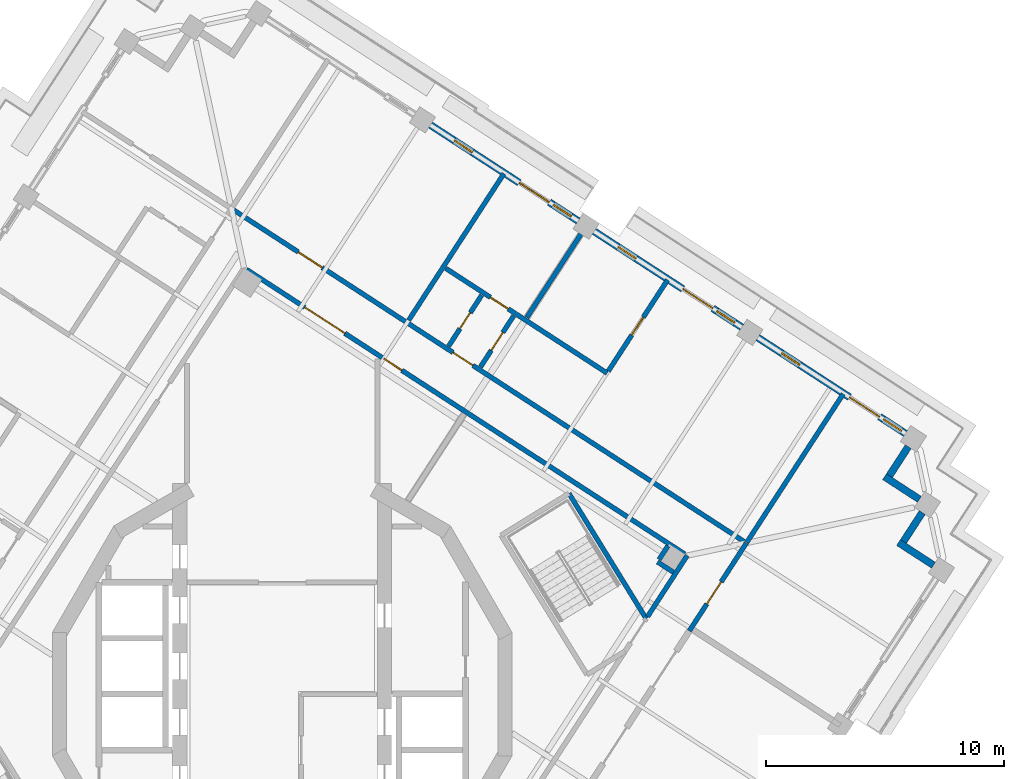
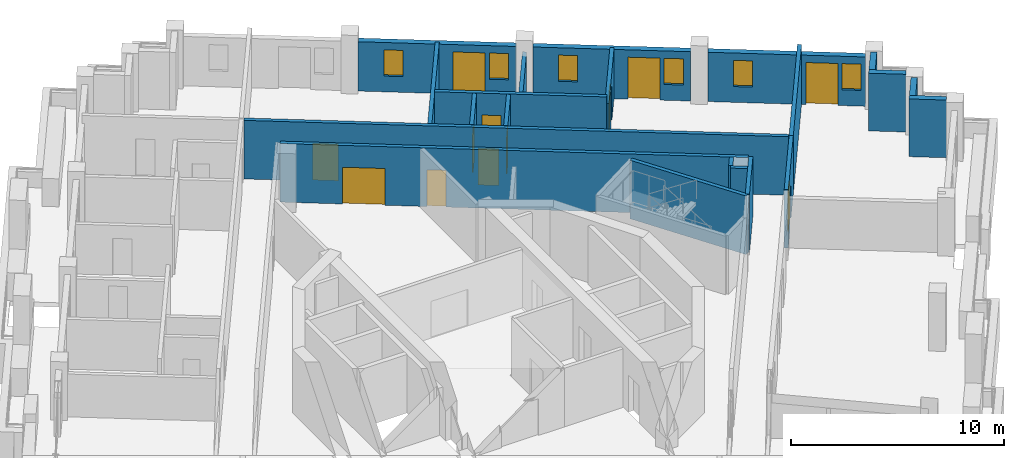
# One storey, part 9 of 15: 21 walls, 12 doors, 6 windows, 18 openings.
"""IFC4 building model written with IfcOpenShell, lengths in metres."""

import ifcopenshell
import ifcopenshell.guid

model = None  # the IFC model being written
_history = None  # IfcOwnerHistory: only IFC2X3 demands one
_inside = {}  # id of a spatial element -> (the spatial element, [elements in it])
_under = {}  # id of a project, library or spatial element -> (it, [spatial elements below it])
_declared = {}  # id of a project -> (the project, [libraries it declares])
_typed = {}  # id of a type object -> (the type object, [elements of that type])
_made_of = {}  # id of a material, layer set ... -> (it, [elements and type objects made of it])


def new_model(schema):
    """Start an empty IFC model of exactly this schema.

    Asked for "IFC4X3", IfcOpenShell would pick the latest addendum, in which some entities
    have other attributes; the version numbers below select the first issue.
    IFC2X3 requires an IfcOwnerHistory on every rooted entity: one is made here for all.
    """
    global model, _history
    if schema == "IFC4X3":
        model = ifcopenshell.file(schema_version=(4, 3, 0, 0))
    else:
        model = ifcopenshell.file(schema=schema)
    _inside.clear()
    _under.clear()
    _declared.clear()
    _typed.clear()
    _made_of.clear()
    _history = None
    if model.schema == "IFC2X3":
        org = make("IfcOrganization", Name="unknown")
        user = make(
            "IfcPersonAndOrganization",
            ThePerson=make("IfcPerson", FamilyName="unknown"),
            TheOrganization=org,
        )
        app = make(
            "IfcApplication",
            ApplicationDeveloper=org,
            Version="unknown",
            ApplicationFullName="unknown",
            ApplicationIdentifier="unknown",
        )
        _history = make(
            "IfcOwnerHistory",
            OwningUser=user,
            OwningApplication=app,
            ChangeAction="ADDED",
            CreationDate=0,
        )
    return model


def make(cls, **values):
    """One entity of the class cls with the attributes given. An attribute that is None is left unset."""
    return model.create_entity(
        cls, **{name: value for name, value in values.items() if value is not None}
    )


def rooted(cls, **values):
    """An entity with a GlobalId (a new one), such as an element, a storey or a relation."""
    return make(cls, GlobalId=ifcopenshell.guid.new(), OwnerHistory=_history, **values)


def si_unit(unit_type, name, prefix=None):
    """IfcSIUnit, for example si_unit("LENGTHUNIT", "METRE", prefix="MILLI")."""
    return make("IfcSIUnit", UnitType=unit_type, Prefix=prefix, Name=name)


def assignment(units):
    """IfcUnitAssignment: the units of a project."""
    return None if units is None else make("IfcUnitAssignment", Units=units)


def point(xyz):
    """IfcCartesianPoint."""
    return None if xyz is None else make("IfcCartesianPoint", Coordinates=xyz)


def direction(xyz):
    """IfcDirection."""
    return None if xyz is None else make("IfcDirection", DirectionRatios=xyz)


def frame(location, z_axis=None, x_axis=None):
    """IfcAxis2Placement3D, a coordinate frame: its origin and axes. An axis left out is left unset."""
    return make(
        "IfcAxis2Placement3D",
        Location=point(location),
        Axis=direction(z_axis),
        RefDirection=direction(x_axis),
    )


def frame_2d(location, x_axis=None):
    """IfcAxis2Placement2D, a coordinate frame in the plane: its origin and x axis."""
    return make(
        "IfcAxis2Placement2D", Location=point(location), RefDirection=direction(x_axis)
    )


def origin():
    """The frame at (0, 0, 0) with its axes left unset."""
    return frame((0.0, 0.0, 0.0))


def place(relative_to, where):
    """IfcLocalPlacement: puts the frame where relative to a parent placement (None: the world)."""
    return make(
        "IfcLocalPlacement", PlacementRelTo=relative_to, RelativePlacement=where
    )


def context(
    kind, dimensions, precision=None, world=None, true_north=None, identifier=None
):
    """IfcGeometricRepresentationContext, for example the 3D "Model" context."""
    return make(
        "IfcGeometricRepresentationContext",
        ContextIdentifier=identifier,
        ContextType=kind,
        CoordinateSpaceDimension=dimensions,
        Precision=precision,
        WorldCoordinateSystem=world,
        TrueNorth=true_north,
    )


def subcontext(parent, identifier, kind, view, scale=None):
    """IfcGeometricRepresentationSubContext, for example "Body" below "Model"."""
    return make(
        "IfcGeometricRepresentationSubContext",
        ContextIdentifier=identifier,
        ContextType=kind,
        ParentContext=parent,
        TargetScale=scale,
        TargetView=view,
    )


def project(units=None, contexts=None):
    """IfcProject with its units and contexts."""
    return rooted(
        "IfcProject",
        Name="project",
        RepresentationContexts=contexts,
        UnitsInContext=assignment(units),
    )


def spatial(cls, under=None, at=None, **own):
    """A site, building, storey or space (cls), placed at a placement, below another one or the project."""
    s = rooted(cls, ObjectPlacement=at, **own)
    if under is not None:
        _under.setdefault(under.id(), (under, []))[1].append(s)
    return s


def profile(cls, at=None, kind="AREA", **sizes):
    """A parametric profile (cls). Its sizes go by their IFC names, for example OverallWidth=200.0."""
    return make(cls, ProfileType=kind, Position=at, **sizes)


def rectangle(**sizes):
    """IfcRectangleProfileDef."""
    return profile("IfcRectangleProfileDef", **sizes)


def extrude(swept, where, along, depth):
    """IfcExtrudedAreaSolid: the profile swept, set in the frame where, extruded along a direction by depth."""
    return make(
        "IfcExtrudedAreaSolid",
        SweptArea=swept,
        Position=where,
        ExtrudedDirection=direction(along),
        Depth=depth,
    )


def shape(context_of_items, identifier, shape_type, items):
    """IfcShapeRepresentation: the items that make up one representation, for example the "Body"."""
    return make(
        "IfcShapeRepresentation",
        ContextOfItems=context_of_items,
        RepresentationIdentifier=identifier,
        RepresentationType=shape_type,
        Items=items,
    )


def material(Name=None, Category=None):
    """IfcMaterial."""
    return make("IfcMaterial", Name=Name, Category=Category)


def layer(
    of_material, thickness, ventilated=None, Name=None, Category=None, Priority=None
):
    """IfcMaterialLayer: one layer of a wall or slab, of a material (None: an air gap)."""
    return make(
        "IfcMaterialLayer",
        Material=of_material,
        LayerThickness=thickness,
        IsVentilated=ventilated,
        Name=Name,
        Category=Category,
        Priority=Priority,
    )


def layer_set(layers, Name=None):
    """IfcMaterialLayerSet."""
    return make("IfcMaterialLayerSet", MaterialLayers=layers, LayerSetName=Name)


def made_of(thing, what):
    """Note that an element or type object is made of a material, layer set ...; save() writes the relation."""
    if what is not None:
        _made_of.setdefault(what.id(), (what, []))[1].append(thing)
    return thing


def type_object(cls, material=None, **own):
    """A type object (cls), such as IfcWallType, which elements share."""
    return made_of(rooted(cls, **own), material)


def element(
    cls,
    number,
    at=None,
    inside=None,
    cuts=None,
    type_object=None,
    material=None,
    context=None,
    identifier="Body",
    shape_type=None,
    held_by="IfcProductDefinitionShape",
    body=None,
    shapes=None,
    **own,
):
    """One element of the class cls, such as IfcWall. Its Tag is "e" and its number.

    at: its placement. inside: the storey or other place that contains it. cuts: it is an
    opening in that element (IfcRelVoidsElement). A single representation is given by context,
    identifier, shape_type and body (its items); several are given by shapes. held_by: the class
    of the entity that holds the representations. save() writes the other relations.
    """
    e = rooted(cls, Tag="e%d" % number, ObjectPlacement=at, **own)
    if body is not None:
        shapes = [shape(context, identifier, shape_type, body)]
    if shapes is not None:
        e.Representation = make(held_by, Representations=shapes)
    if inside is not None:
        _inside.setdefault(inside.id(), (inside, []))[1].append(e)
    if cuts is not None:
        rooted(
            "IfcRelVoidsElement", RelatingBuildingElement=cuts, RelatedOpeningElement=e
        )
    if type_object is not None:
        _typed.setdefault(type_object.id(), (type_object, []))[1].append(e)
    return made_of(e, material)


def fill(opening, filler):
    """IfcRelFillsElement: the door or window that sits in an opening."""
    return rooted(
        "IfcRelFillsElement",
        RelatingOpeningElement=opening,
        RelatedBuildingElement=filler,
    )


def aggregate(whole, parts):
    """IfcRelAggregates: a whole, such as a stair, and the parts it consists of."""
    return rooted("IfcRelAggregates", RelatingObject=whole, RelatedObjects=parts)


def save(model, path):
    """Write the relations noted so far, then the file.

    IfcRelAggregates (storeys below a building ...), IfcRelContainedInSpatialStructure (elements
    in a storey), IfcRelDefinesByType, IfcRelAssociatesMaterial and IfcRelDeclares: one each for
    every whole, place, type object, material and project.
    """
    for whole, parts in _under.values():
        aggregate(whole, parts)
    for where, things in _inside.values():
        rooted(
            "IfcRelContainedInSpatialStructure",
            RelatedElements=things,
            RelatingStructure=where,
        )
    for kind, things in _typed.values():
        rooted("IfcRelDefinesByType", RelatedObjects=things, RelatingType=kind)
    for what, things in _made_of.values():
        rooted("IfcRelAssociatesMaterial", RelatedObjects=things, RelatingMaterial=what)
    for by, libraries in _declared.values():
        rooted("IfcRelDeclares", RelatingContext=by, RelatedDefinitions=libraries)
    model.write(path)


model = new_model("IFC4")

# Units and contexts
model_context = context("Model", 3, precision=1e-05, world=origin(), true_north=direction((0.0, 1.0)))
body_context = subcontext(model_context, "Body", "Model", "MODEL_VIEW")
ifc_project = project(units=[si_unit("LENGTHUNIT", "METRE"), si_unit("AREAUNIT", "SQUARE_METRE"), si_unit("VOLUMEUNIT", "CUBIC_METRE"), si_unit("PLANEANGLEUNIT", "RADIAN"), si_unit("MASSUNIT", "GRAM", prefix="KILO")], contexts=[model_context])

# Site, building, storey
site_placement = place(None, origin())
site = spatial("IfcSite", under=ifc_project, at=site_placement, CompositionType="ELEMENT")
building_placement = place(site_placement, origin())
building = spatial("IfcBuilding", under=site, at=building_placement, Name="Cantera Rosa Tower", CompositionType="ELEMENT")
storey_placement = place(building_placement, frame((0.0, 0.0, 261.300048828125)))
storey = spatial("IfcBuildingStorey", under=building, at=storey_placement, Name="L58", CompositionType="ELEMENT", Elevation=261.300048828125)

# Wall, opening, door
ifc_material_1 = material(Name="Gypsum board partition")
ifc_layer_1 = layer(ifc_material_1, 0.199951171875)
ifc_layer_set_1 = layer_set([ifc_layer_1], Name="CORRIDOR WALL 200 H3350")
wall_type_1 = type_object("IfcWallType", Name="CORRIDOR WALL 200 H3350", PredefinedType="PARTITIONING", material=ifc_layer_set_1)
wall_1_placement = place(storey_placement, frame((17.106689453125, 2.656494140625, 0.0), z_axis=(0.0, 0.0, 1.0), x_axis=(0.544620124776, 0.838682848095, 0.0)))
wall_1 = element("IfcWall", 1, at=wall_1_placement, inside=storey, type_object=wall_type_1, Name="CORRIDOR WALL L58-066", PredefinedType="PARTITIONING", context=body_context, shape_type="SweptSolid", body=[
    extrude(rectangle(XDim=4.4052734375, YDim=0.199951171875, at=frame_2d((2.20263671875, 0.0))), origin(), (0.0, 0.0, 1.0), 3.349853515625),
])
opening_1_placement = place(wall_1_placement, frame((1.35498046875, 0.0, 0.0)))
opening_1 = element("IfcOpeningElement", 2, at=opening_1_placement, cuts=wall_1, Name="Opening L58-048", PredefinedType="OPENING", context=body_context, shape_type="SweptSolid", body=[
    extrude(rectangle(XDim=1.10009765625, YDim=2.10009765625, at=frame_2d((0.550048828125, 1.050048828125))), frame((0.0, 0.10986328125, 0.0), z_axis=(0.0, -1.0, 0.0), x_axis=(1.0, 0.0, 0.0)), (0.0, 0.0, 1.0), 0.219970703125),
])
ifc_material_2 = material(Name="Timber door leaf", Category="wood")
door_type_1 = type_object("IfcDoorType", Name="ROOM DOOR 1100x2100", OperationType="NOTDEFINED", PredefinedType="DOOR", material=ifc_material_2)
door_1_placement = place(opening_1_placement, origin())
door_1 = element("IfcDoor", 3, at=door_1_placement, inside=storey, type_object=door_type_1, Name="DOOR L58-048", OperationType="NOTDEFINED", OverallHeight=2.10009765625, OverallWidth=1.10009765625, PredefinedType="DOOR", context=body_context, shape_type="SweptSolid", body=[
    extrude(rectangle(XDim=1.10009765625, YDim=2.10009765625, at=frame_2d((0.550048828125, 1.050048828125))), frame((0.0, 0.02490234375, 0.0), z_axis=(0.0, -1.0, 0.0), x_axis=(1.0, 0.0, 0.0)), (0.0, 0.0, 1.0), 0.050048828125),
])
fill(opening_1, door_1)

# Wall
wall_2_placement = place(storey_placement, frame((15.349853515625, 3.256103515625, 0.0), z_axis=(0.0, 0.0, 1.0), x_axis=(0.544603984755, 0.838693328809, 0.0)))
element("IfcWall", 4, at=wall_2_placement, inside=storey, type_object=wall_type_1, Name="CORRIDOR WALL L58-093", PredefinedType="PARTITIONING", context=body_context, shape_type="SweptSolid", body=[
    extrude(rectangle(XDim=3.05908203125, YDim=0.199951171875, at=frame_2d((1.529541015625, 0.0))), origin(), (0.0, 0.0, 1.0), 3.349853515625),
])

# Wall, openings, doors
wall_3_placement = place(storey_placement, frame((16.915283203125, 5.88720703125, 0.0), z_axis=(0.0, 0.0, 1.0), x_axis=(-0.838672399173, 0.544636215161, 0.0)))
wall_3 = element("IfcWall", 5, at=wall_3_placement, inside=storey, type_object=wall_type_1, Name="CORRIDOR WALL L58-097", PredefinedType="PARTITIONING", context=body_context, shape_type="SweptSolid", body=[
    extrude(rectangle(XDim=21.9599609375, YDim=0.199951171875, at=frame_2d((10.97998046875, 0.0))), origin(), (0.0, 0.0, 1.0), 3.349853515625),
])
opening_2_placement = place(wall_3_placement, frame((14.17626953125, 0.0, 0.0)))
opening_2 = element("IfcOpeningElement", 6, at=opening_2_placement, cuts=wall_3, Name="Opening L58-004", PredefinedType="OPENING", context=body_context, shape_type="SweptSolid", body=[
    extrude(rectangle(XDim=0.89990234375, YDim=2.10009765625, at=frame_2d((0.449951171875, 1.050048828125))), frame((0.0, 0.10986328125, 0.0), z_axis=(0.0, -1.0, 0.0), x_axis=(1.0, 0.0, 0.0)), (0.0, 0.0, 1.0), 0.219970703125),
])
opening_3_placement = place(wall_3_placement, frame((17.030029296875, 0.0, 0.0)))
opening_3 = element("IfcOpeningElement", 7, at=opening_3_placement, cuts=wall_3, Name="Opening L58-008", PredefinedType="OPENING", context=body_context, shape_type="SweptSolid", body=[
    extrude(rectangle(XDim=2.0, YDim=2.10009765625, at=frame_2d((1.0, 1.050048828125))), frame((0.0, 0.10986328125, 0.0), z_axis=(0.0, -1.0, 0.0), x_axis=(1.0, 0.0, 0.0)), (0.0, 0.0, 1.0), 0.219970703125),
])
ifc_material_3 = material(Name="Steel S355J2 (EN 10025-2)", Category="steel")
door_type_2 = type_object("IfcDoorType", Name="LOBBY SCREEN DOOR 2000x2100", OperationType="NOTDEFINED", PredefinedType="DOOR", material=ifc_material_3)
door_2_placement = place(opening_3_placement, origin())
door_2 = element("IfcDoor", 8, at=door_2_placement, inside=storey, type_object=door_type_2, Name="DOOR L58-008", OperationType="NOTDEFINED", OverallHeight=2.10009765625, OverallWidth=2.0, PredefinedType="DOOR", context=body_context, shape_type="SweptSolid", body=[
    extrude(rectangle(XDim=2.0, YDim=2.10009765625, at=frame_2d((1.0, 1.050048828125))), frame((0.0, 0.02490234375, 0.0), z_axis=(0.0, -1.0, 0.0), x_axis=(1.0, 0.0, 0.0)), (0.0, 0.0, 1.0), 0.050048828125),
])
fill(opening_3, door_2)
ifc_material_4 = material(Name="Timber door leaf", Category="wood")
door_type_3 = type_object("IfcDoorType", Name="SERVICE DOOR 900x2100", OperationType="NOTDEFINED", PredefinedType="DOOR", material=ifc_material_4)
door_3_placement = place(opening_2_placement, origin())
door_3 = element("IfcDoor", 9, at=door_3_placement, inside=storey, type_object=door_type_3, Name="DOOR L58-004", OperationType="NOTDEFINED", OverallHeight=2.10009765625, OverallWidth=0.89990234375, PredefinedType="DOOR", context=body_context, shape_type="SweptSolid", body=[
    extrude(rectangle(XDim=0.89990234375, YDim=2.10009765625, at=frame_2d((0.449951171875, 1.050048828125))), frame((0.0, 0.02490234375, 0.0), z_axis=(0.0, -1.0, 0.0), x_axis=(1.0, 0.0, 0.0)), (0.0, 0.0, 1.0), 0.050048828125),
])
fill(opening_2, door_3)

wall_4_placement = place(storey_placement, frame((19.4052734375, 6.416259765625, 0.0), z_axis=(0.0, 0.0, 1.0), x_axis=(-0.838668754336, 0.544641827718, 0.0)))
wall_4 = element("IfcWall", 10, at=wall_4_placement, inside=storey, type_object=wall_type_1, Name="CORRIDOR WALL L58-098", PredefinedType="PARTITIONING", context=body_context, shape_type="SweptSolid", body=[
    extrude(rectangle(XDim=25.56005859375, YDim=0.199951171875, at=frame_2d((12.780029296875, 0.0))), origin(), (0.0, 0.0, 1.0), 3.349853515625),
])
opening_4_placement = place(wall_4_placement, frame((13.580078125, 0.0, 0.0)))
opening_4 = element("IfcOpeningElement", 11, at=opening_4_placement, cuts=wall_4, Name="Opening L58-019", PredefinedType="OPENING", context=body_context, shape_type="SweptSolid", body=[
    extrude(rectangle(XDim=1.0, YDim=2.10009765625, at=frame_2d((0.5, 1.050048828125))), frame((0.0, 0.10986328125, 0.0), z_axis=(0.0, -1.0, 0.0), x_axis=(1.0, 0.0, 0.0)), (0.0, 0.0, 1.0), 0.219970703125),
])
opening_5_placement = place(wall_4_placement, frame((21.1298828125, 0.0, 0.0)))
opening_5 = element("IfcOpeningElement", 12, at=opening_5_placement, cuts=wall_4, Name="Opening L58-024", PredefinedType="OPENING", context=body_context, shape_type="SweptSolid", body=[
    extrude(rectangle(XDim=1.199951171875, YDim=2.10009765625, at=frame_2d((0.60009765625, 1.050048828125))), frame((0.0, 0.10986328125, 0.0), z_axis=(0.0, -1.0, 0.0), x_axis=(1.0, 0.0, 0.0)), (0.0, 0.0, 1.0), 0.219970703125),
])
ifc_material_5 = material(Name="Timber door leaf", Category="wood")
door_type_4 = type_object("IfcDoorType", Name="ENTRANCE DOOR 1000x2100", OperationType="NOTDEFINED", PredefinedType="DOOR", material=ifc_material_5)
door_4_placement = place(opening_4_placement, origin())
door_4 = element("IfcDoor", 13, at=door_4_placement, inside=storey, type_object=door_type_4, Name="DOOR L58-019", OperationType="NOTDEFINED", OverallHeight=2.10009765625, OverallWidth=1.0, PredefinedType="DOOR", context=body_context, shape_type="SweptSolid", body=[
    extrude(rectangle(XDim=1.0, YDim=2.10009765625, at=frame_2d((0.5, 1.050048828125))), frame((0.0, 0.02490234375, 0.0), z_axis=(0.0, -1.0, 0.0), x_axis=(1.0, 0.0, 0.0)), (0.0, 0.0, 1.0), 0.050048828125),
])
fill(opening_4, door_4)
ifc_material_6 = material(Name="Timber door leaf", Category="wood")
door_type_5 = type_object("IfcDoorType", Name="ROOM DOOR 1200x2100", OperationType="NOTDEFINED", PredefinedType="DOOR", material=ifc_material_6)
door_5_placement = place(opening_5_placement, origin())
door_5 = element("IfcDoor", 14, at=door_5_placement, inside=storey, type_object=door_type_5, Name="DOOR L58-024", OperationType="NOTDEFINED", OverallHeight=2.10009765625, OverallWidth=1.199951171875, PredefinedType="DOOR", context=body_context, shape_type="SweptSolid", body=[
    extrude(rectangle(XDim=1.199951171875, YDim=2.10009765625, at=frame_2d((0.60009765625, 1.050048828125))), frame((0.0, 0.02490234375, 0.0), z_axis=(0.0, -1.0, 0.0), x_axis=(1.0, 0.0, 0.0)), (0.0, 0.0, 1.0), 0.050048828125),
])
fill(opening_5, door_5)

# Walls
ifc_material_7 = material(Name="Hollow clay masonry with cantera stone cladding", Category="masonry")
ifc_layer_2 = layer(ifc_material_7, 0.300048828125)
ifc_layer_set_2 = layer_set([ifc_layer_2], Name="EW-LOGGIA 300")
wall_type_2 = type_object("IfcWallType", Name="EW-LOGGIA 300", PredefinedType="SOLIDWALL", material=ifc_layer_set_2)
wall_5_placement = place(storey_placement, frame((27.36669921875, 5.41943359375, 0.0), z_axis=(0.0, 0.0, 1.0), x_axis=(-0.838685761837, 0.54461563776, 0.0)))
element("IfcWall", 15, at=wall_5_placement, inside=storey, type_object=wall_type_2, Name="EN-L58-W25a", PredefinedType="SOLIDWALL", context=body_context, shape_type="SweptSolid", body=[
    extrude(rectangle(XDim=1.75, YDim=0.300048828125, at=frame_2d((0.875, 0.0))), origin(), (0.0, 0.0, 1.0), 3.300048828125),
])
wall_6_placement = place(storey_placement, frame((26.1064453125, 6.41650390625, 0.0), z_axis=(0.0, 0.0, 1.0), x_axis=(0.54467465438, 0.838647435384, 0.0)))
element("IfcWall", 16, at=wall_6_placement, inside=storey, type_object=wall_type_2, Name="EN-L58-W25b", PredefinedType="SOLIDWALL", context=body_context, shape_type="SweptSolid", body=[
    extrude(rectangle(XDim=1.449951171875, YDim=0.300048828125, at=frame_2d((0.72509765625, 0.0))), origin(), (0.0, 0.0, 1.0), 3.300048828125),
])
wall_7_placement = place(storey_placement, frame((26.778564453125, 8.18603515625, 0.0), z_axis=(0.0, 0.0, 1.0), x_axis=(-0.838685761837, 0.54461563776, 0.0)))
element("IfcWall", 17, at=wall_7_placement, inside=storey, type_object=wall_type_2, Name="EN-L58-W26a", PredefinedType="SOLIDWALL", context=body_context, shape_type="SweptSolid", body=[
    extrude(rectangle(XDim=1.75, YDim=0.300048828125, at=frame_2d((0.875, 0.0))), origin(), (0.0, 0.0, 1.0), 3.300048828125),
])
wall_8_placement = place(storey_placement, frame((25.518310546875, 9.18310546875, 0.0), z_axis=(0.0, 0.0, 1.0), x_axis=(0.54467465438, 0.838647435384, 0.0)))
element("IfcWall", 18, at=wall_8_placement, inside=storey, type_object=wall_type_2, Name="EN-L58-W26b", PredefinedType="SOLIDWALL", context=body_context, shape_type="SweptSolid", body=[
    extrude(rectangle(XDim=1.449951171875, YDim=0.300048828125, at=frame_2d((0.72509765625, 0.0))), origin(), (0.0, 0.0, 1.0), 3.300048828125),
])

# Wall, openings, windows, door
ifc_material_8 = material(Name="Hollow clay masonry with cantera stone cladding", Category="masonry")
ifc_layer_3 = layer(ifc_material_8, 0.300048828125)
ifc_layer_set_3 = layer_set([ifc_layer_3], Name="EW-LOGGIA 300 H2820")
wall_type_3 = type_object("IfcWallType", Name="EW-LOGGIA 300 H2820", PredefinedType="SOLIDWALL", material=ifc_layer_set_3)
wall_9_placement = place(storey_placement, frame((26.1904296875, 10.95263671875, 0.0), z_axis=(0.0, 0.0, 1.0), x_axis=(-0.838669679097, 0.544640403719, 0.0)))
wall_9 = element("IfcWall", 19, at=wall_9_placement, inside=storey, type_object=wall_type_3, Name="EN-L58-W01", PredefinedType="SOLIDWALL", context=body_context, shape_type="SweptSolid", body=[
    extrude(rectangle(XDim=7.39990234375, YDim=0.300048828125, at=frame_2d((3.699951171875, 0.0))), origin(), (0.0, 0.0, 1.0), 2.820068359375),
])
opening_6_placement = place(wall_9_placement, frame((0.199951171875, 0.0, 0.89990234375)))
opening_6 = element("IfcOpeningElement", 20, at=opening_6_placement, cuts=wall_9, Name="Opening L58-W01", PredefinedType="OPENING", context=body_context, shape_type="SweptSolid", body=[
    extrude(rectangle(XDim=0.89990234375, YDim=1.5, at=frame_2d((0.449951171875, 0.75))), frame((0.0, 0.159912109375, 0.0), z_axis=(0.0, -1.0, 0.0), x_axis=(1.0, 0.0, 0.0)), (0.0, 0.0, 1.0), 0.320068359375),
])
opening_7_placement = place(wall_9_placement, frame((1.300048828125, 0.0, 0.0)))
opening_7 = element("IfcOpeningElement", 21, at=opening_7_placement, cuts=wall_9, Name="Opening L58-TD02", PredefinedType="OPENING", context=body_context, shape_type="SweptSolid", body=[
    extrude(rectangle(XDim=1.5, YDim=2.39990234375, at=frame_2d((0.75, 1.199951171875))), frame((0.0, 0.159912109375, 0.0), z_axis=(0.0, -1.0, 0.0), x_axis=(1.0, 0.0, 0.0)), (0.0, 0.0, 1.0), 0.320068359375),
])
opening_8_placement = place(wall_9_placement, frame((5.300048828125, 0.0, 0.89990234375)))
opening_8 = element("IfcOpeningElement", 22, at=opening_8_placement, cuts=wall_9, Name="Opening L58-W03", PredefinedType="OPENING", context=body_context, shape_type="SweptSolid", body=[
    extrude(rectangle(XDim=0.89990234375, YDim=1.5, at=frame_2d((0.449951171875, 0.75))), frame((0.0, 0.159912109375, 0.0), z_axis=(0.0, -1.0, 0.0), x_axis=(1.0, 0.0, 0.0)), (0.0, 0.0, 1.0), 0.320068359375),
])
ifc_material_9 = material(Name="Aluminium frame with clear glass", Category="aluminium")
window_type = type_object("IfcWindowType", Name="Residential window 900x1500", PartitioningType="SINGLE_PANEL", PredefinedType="WINDOW", material=ifc_material_9)
window_1_placement = place(opening_6_placement, origin())
window_1 = element("IfcWindow", 23, at=window_1_placement, inside=storey, type_object=window_type, Name="WINDOW L58-W01", OverallHeight=1.5, OverallWidth=0.89990234375, PartitioningType="SINGLE_PANEL", PredefinedType="WINDOW", context=body_context, shape_type="SweptSolid", body=[
    extrude(rectangle(XDim=0.89990234375, YDim=1.5, at=frame_2d((0.449951171875, 0.75))), frame((0.0, 0.030029296875, 0.0), z_axis=(0.0, -1.0, 0.0), x_axis=(1.0, 0.0, 0.0)), (0.0, 0.0, 1.0), 0.06005859375),
])
fill(opening_6, window_1)
window_2_placement = place(opening_8_placement, origin())
window_2 = element("IfcWindow", 24, at=window_2_placement, inside=storey, type_object=window_type, Name="WINDOW L58-W03", OverallHeight=1.5, OverallWidth=0.89990234375, PartitioningType="SINGLE_PANEL", PredefinedType="WINDOW", context=body_context, shape_type="SweptSolid", body=[
    extrude(rectangle(XDim=0.89990234375, YDim=1.5, at=frame_2d((0.449951171875, 0.75))), frame((0.0, 0.030029296875, 0.0), z_axis=(0.0, -1.0, 0.0), x_axis=(1.0, 0.0, 0.0)), (0.0, 0.0, 1.0), 0.06005859375),
])
fill(opening_8, window_2)
ifc_material_10 = material(Name="Aluminium frame with clear glass", Category="aluminium")
door_type_6 = type_object("IfcDoorType", Name="TD-R 1500x2400", OperationType="NOTDEFINED", PredefinedType="DOOR", material=ifc_material_10)
door_6_placement = place(opening_7_placement, origin())
door_6 = element("IfcDoor", 25, at=door_6_placement, inside=storey, type_object=door_type_6, Name="LOGGIA DOOR L58-TD02", OperationType="SLIDING_TO_LEFT", OverallHeight=2.39990234375, OverallWidth=1.5, PredefinedType="DOOR", context=body_context, shape_type="SweptSolid", body=[
    extrude(rectangle(XDim=1.5, YDim=2.39990234375, at=frame_2d((0.75, 1.199951171875))), frame((0.0, 0.02490234375, 0.0), z_axis=(0.0, -1.0, 0.0), x_axis=(1.0, 0.0, 0.0)), (0.0, 0.0, 1.0), 0.050048828125),
])
fill(opening_7, door_6)

wall_10_placement = place(storey_placement, frame((19.3134765625, 15.418701171875, 0.0), z_axis=(0.0, 0.0, 1.0), x_axis=(-0.838679465365, 0.544625333946, 0.0)))
wall_10 = element("IfcWall", 26, at=wall_10_placement, inside=storey, type_object=wall_type_3, Name="EN-L58-W02", PredefinedType="SOLIDWALL", context=body_context, shape_type="SweptSolid", body=[
    extrude(rectangle(XDim=7.400146484375, YDim=0.300048828125, at=frame_2d((3.7001953125, 0.0))), origin(), (0.0, 0.0, 1.0), 2.820068359375),
])
opening_9_placement = place(wall_10_placement, frame((0.35009765625, 0.0, 0.89990234375)))
opening_9 = element("IfcOpeningElement", 27, at=opening_9_placement, cuts=wall_10, Name="Opening L58-W04", PredefinedType="OPENING", context=body_context, shape_type="SweptSolid", body=[
    extrude(rectangle(XDim=0.89990234375, YDim=1.5, at=frame_2d((0.449951171875, 0.75))), frame((0.0, 0.159912109375, 0.0), z_axis=(0.0, -1.0, 0.0), x_axis=(1.0, 0.0, 0.0)), (0.0, 0.0, 1.0), 0.320068359375),
])
opening_10_placement = place(wall_10_placement, frame((1.449951171875, 0.0, 0.0)))
opening_10 = element("IfcOpeningElement", 28, at=opening_10_placement, cuts=wall_10, Name="Opening L58-TD05", PredefinedType="OPENING", context=body_context, shape_type="SweptSolid", body=[
    extrude(rectangle(XDim=1.5, YDim=2.39990234375, at=frame_2d((0.75, 1.199951171875))), frame((0.0, 0.159912109375, 0.0), z_axis=(0.0, -1.0, 0.0), x_axis=(1.0, 0.0, 0.0)), (0.0, 0.0, 1.0), 0.320068359375),
])
opening_11_placement = place(wall_10_placement, frame((5.300048828125, 0.0, 0.89990234375)))
opening_11 = element("IfcOpeningElement", 29, at=opening_11_placement, cuts=wall_10, Name="Opening L58-W06", PredefinedType="OPENING", context=body_context, shape_type="SweptSolid", body=[
    extrude(rectangle(XDim=0.89990234375, YDim=1.5, at=frame_2d((0.449951171875, 0.75))), frame((0.0, 0.159912109375, 0.0), z_axis=(0.0, -1.0, 0.0), x_axis=(1.0, 0.0, 0.0)), (0.0, 0.0, 1.0), 0.320068359375),
])
window_3_placement = place(opening_9_placement, origin())
window_3 = element("IfcWindow", 30, at=window_3_placement, inside=storey, type_object=window_type, Name="WINDOW L58-W04", OverallHeight=1.5, OverallWidth=0.89990234375, PartitioningType="SINGLE_PANEL", PredefinedType="WINDOW", context=body_context, shape_type="SweptSolid", body=[
    extrude(rectangle(XDim=0.89990234375, YDim=1.5, at=frame_2d((0.449951171875, 0.75))), frame((0.0, 0.030029296875, 0.0), z_axis=(0.0, -1.0, 0.0), x_axis=(1.0, 0.0, 0.0)), (0.0, 0.0, 1.0), 0.06005859375),
])
fill(opening_9, window_3)
window_4_placement = place(opening_11_placement, origin())
window_4 = element("IfcWindow", 31, at=window_4_placement, inside=storey, type_object=window_type, Name="WINDOW L58-W06", OverallHeight=1.5, OverallWidth=0.89990234375, PartitioningType="SINGLE_PANEL", PredefinedType="WINDOW", context=body_context, shape_type="SweptSolid", body=[
    extrude(rectangle(XDim=0.89990234375, YDim=1.5, at=frame_2d((0.449951171875, 0.75))), frame((0.0, 0.030029296875, 0.0), z_axis=(0.0, -1.0, 0.0), x_axis=(1.0, 0.0, 0.0)), (0.0, 0.0, 1.0), 0.06005859375),
])
fill(opening_11, window_4)
door_7_placement = place(opening_10_placement, origin())
door_7 = element("IfcDoor", 32, at=door_7_placement, inside=storey, type_object=door_type_6, Name="LOGGIA DOOR L58-TD05", OperationType="SLIDING_TO_LEFT", OverallHeight=2.39990234375, OverallWidth=1.5, PredefinedType="DOOR", context=body_context, shape_type="SweptSolid", body=[
    extrude(rectangle(XDim=1.5, YDim=2.39990234375, at=frame_2d((0.75, 1.199951171875))), frame((0.0, 0.02490234375, 0.0), z_axis=(0.0, -1.0, 0.0), x_axis=(1.0, 0.0, 0.0)), (0.0, 0.0, 1.0), 0.050048828125),
])
fill(opening_10, door_7)

wall_11_placement = place(storey_placement, frame((12.436279296875, 19.884765625, 0.0), z_axis=(0.0, 0.0, 1.0), x_axis=(-0.838669679097, 0.544640403719, 0.0)))
wall_11 = element("IfcWall", 33, at=wall_11_placement, inside=storey, type_object=wall_type_3, Name="EN-L58-W03", PredefinedType="SOLIDWALL", context=body_context, shape_type="SweptSolid", body=[
    extrude(rectangle(XDim=7.39990234375, YDim=0.300048828125, at=frame_2d((3.699951171875, 0.0))), origin(), (0.0, 0.0, 1.0), 2.820068359375),
])
opening_12_placement = place(wall_11_placement, frame((0.35009765625, 0.0, 0.89990234375)))
opening_12 = element("IfcOpeningElement", 34, at=opening_12_placement, cuts=wall_11, Name="Opening L58-W07", PredefinedType="OPENING", context=body_context, shape_type="SweptSolid", body=[
    extrude(rectangle(XDim=0.89990234375, YDim=1.5, at=frame_2d((0.449951171875, 0.75))), frame((0.0, 0.159912109375, 0.0), z_axis=(0.0, -1.0, 0.0), x_axis=(1.0, 0.0, 0.0)), (0.0, 0.0, 1.0), 0.320068359375),
])
opening_13_placement = place(wall_11_placement, frame((1.449951171875, 0.0, 0.0)))
opening_13 = element("IfcOpeningElement", 35, at=opening_13_placement, cuts=wall_11, Name="Opening L58-TD08", PredefinedType="OPENING", context=body_context, shape_type="SweptSolid", body=[
    extrude(rectangle(XDim=1.5, YDim=2.39990234375, at=frame_2d((0.75, 1.199951171875))), frame((0.0, 0.159912109375, 0.0), z_axis=(0.0, -1.0, 0.0), x_axis=(1.0, 0.0, 0.0)), (0.0, 0.0, 1.0), 0.320068359375),
])
opening_14_placement = place(wall_11_placement, frame((5.300048828125, 0.0, 0.89990234375)))
opening_14 = element("IfcOpeningElement", 36, at=opening_14_placement, cuts=wall_11, Name="Opening L58-W09", PredefinedType="OPENING", context=body_context, shape_type="SweptSolid", body=[
    extrude(rectangle(XDim=0.89990234375, YDim=1.5, at=frame_2d((0.449951171875, 0.75))), frame((0.0, 0.159912109375, 0.0), z_axis=(0.0, -1.0, 0.0), x_axis=(1.0, 0.0, 0.0)), (0.0, 0.0, 1.0), 0.320068359375),
])
window_5_placement = place(opening_12_placement, origin())
window_5 = element("IfcWindow", 37, at=window_5_placement, inside=storey, type_object=window_type, Name="WINDOW L58-W07", OverallHeight=1.5, OverallWidth=0.89990234375, PartitioningType="SINGLE_PANEL", PredefinedType="WINDOW", context=body_context, shape_type="SweptSolid", body=[
    extrude(rectangle(XDim=0.89990234375, YDim=1.5, at=frame_2d((0.449951171875, 0.75))), frame((0.0, 0.030029296875, 0.0), z_axis=(0.0, -1.0, 0.0), x_axis=(1.0, 0.0, 0.0)), (0.0, 0.0, 1.0), 0.06005859375),
])
fill(opening_12, window_5)
window_6_placement = place(opening_14_placement, origin())
window_6 = element("IfcWindow", 38, at=window_6_placement, inside=storey, type_object=window_type, Name="WINDOW L58-W09", OverallHeight=1.5, OverallWidth=0.89990234375, PartitioningType="SINGLE_PANEL", PredefinedType="WINDOW", context=body_context, shape_type="SweptSolid", body=[
    extrude(rectangle(XDim=0.89990234375, YDim=1.5, at=frame_2d((0.449951171875, 0.75))), frame((0.0, 0.030029296875, 0.0), z_axis=(0.0, -1.0, 0.0), x_axis=(1.0, 0.0, 0.0)), (0.0, 0.0, 1.0), 0.06005859375),
])
fill(opening_14, window_6)
door_8_placement = place(opening_13_placement, origin())
door_8 = element("IfcDoor", 39, at=door_8_placement, inside=storey, type_object=door_type_6, Name="LOGGIA DOOR L58-TD08", OperationType="SLIDING_TO_LEFT", OverallHeight=2.39990234375, OverallWidth=1.5, PredefinedType="DOOR", context=body_context, shape_type="SweptSolid", body=[
    extrude(rectangle(XDim=1.5, YDim=2.39990234375, at=frame_2d((0.75, 1.199951171875))), frame((0.0, 0.02490234375, 0.0), z_axis=(0.0, -1.0, 0.0), x_axis=(1.0, 0.0, 0.0)), (0.0, 0.0, 1.0), 0.050048828125),
])
fill(opening_13, door_8)

# Wall
ifc_material_11 = material(Name="Gypsum board partition")
ifc_layer_4 = layer(ifc_material_11, 0.199951171875)
ifc_layer_set_4 = layer_set([ifc_layer_4], Name="PARTITION 200 H2450")
wall_type_4 = type_object("IfcWallType", Name="PARTITION 200 H2450", PredefinedType="PARTITIONING", material=ifc_layer_set_4)
wall_12_placement = place(storey_placement, frame((12.75537109375, 19.6416015625, 0.0), z_axis=(0.0, 0.0, 1.0), x_axis=(-0.544629951314, -0.8386764669, 0.0)))
element("IfcWall", 40, at=wall_12_placement, inside=storey, type_object=wall_type_4, Name="PARTITION L58-088", PredefinedType="PARTITIONING", context=body_context, shape_type="SweptSolid", body=[
    extrude(rectangle(XDim=4.550048828125, YDim=0.199951171875, at=frame_2d((2.27490234375, 0.0))), origin(), (0.0, 0.0, 1.0), 2.449951171875),
])

# Wall, opening, door
ifc_material_12 = material(Name="Gypsum board partition")
ifc_layer_5 = layer(ifc_material_12, 0.199951171875)
ifc_layer_set_5 = layer_set([ifc_layer_5], Name="PARTITION 200 H2850")
wall_type_5 = type_object("IfcWallType", Name="PARTITION 200 H2850", PredefinedType="PARTITIONING", material=ifc_layer_set_5)
wall_13_placement = place(storey_placement, frame((16.194091796875, 17.40869140625, 0.0), z_axis=(0.0, 0.0, 1.0), x_axis=(-0.544637163551, -0.838671783285, 0.0)))
wall_13 = element("IfcWall", 41, at=wall_13_placement, inside=storey, type_object=wall_type_5, Name="PARTITION L58-095", PredefinedType="PARTITIONING", context=body_context, shape_type="SweptSolid", body=[
    extrude(rectangle(XDim=4.570068359375, YDim=0.199951171875, at=frame_2d((2.28515625, 0.0))), origin(), (0.0, 0.0, 1.0), 2.849853515625),
])
opening_15_placement = place(wall_13_placement, frame((1.8701171875, 0.0, 0.0)))
opening_15 = element("IfcOpeningElement", 42, at=opening_15_placement, cuts=wall_13, Name="Opening L58-023", PredefinedType="OPENING", context=body_context, shape_type="SweptSolid", body=[
    extrude(rectangle(XDim=0.89990234375, YDim=2.10009765625, at=frame_2d((0.449951171875, 1.050048828125))), frame((0.0, 0.10986328125, 0.0), z_axis=(0.0, -1.0, 0.0), x_axis=(1.0, 0.0, 0.0)), (0.0, 0.0, 1.0), 0.219970703125),
])
ifc_material_13 = material(Name="Timber door leaf", Category="wood")
door_type_7 = type_object("IfcDoorType", Name="ROOM DOOR 900x2100", OperationType="NOTDEFINED", PredefinedType="DOOR", material=ifc_material_13)
door_9_placement = place(opening_15_placement, origin())
door_9 = element("IfcDoor", 43, at=door_9_placement, inside=storey, type_object=door_type_7, Name="DOOR L58-023", OperationType="NOTDEFINED", OverallHeight=2.10009765625, OverallWidth=0.89990234375, PredefinedType="DOOR", context=body_context, shape_type="SweptSolid", body=[
    extrude(rectangle(XDim=0.89990234375, YDim=2.10009765625, at=frame_2d((0.449951171875, 1.050048828125))), frame((0.0, 0.02490234375, 0.0), z_axis=(0.0, -1.0, 0.0), x_axis=(1.0, 0.0, 0.0)), (0.0, 0.0, 1.0), 0.050048828125),
])
fill(opening_15, door_9)

ifc_material_14 = material(Name="Gypsum board partition")
ifc_layer_6 = layer(ifc_material_14, 0.199951171875)
ifc_layer_set_6 = layer_set([ifc_layer_6], Name="PARTITION 200 H3350")
wall_type_6 = type_object("IfcWallType", Name="PARTITION 200 H3350", PredefinedType="PARTITIONING", material=ifc_layer_set_6)
wall_14_placement = place(storey_placement, frame((6.8740234375, 17.892578125, 0.0), z_axis=(0.0, 0.0, 1.0), x_axis=(0.838683778362, -0.544618692218, 0.0)))
wall_14 = element("IfcWall", 44, at=wall_14_placement, inside=storey, type_object=wall_type_6, Name="PARTITION L58-075", PredefinedType="PARTITIONING", context=body_context, shape_type="SweptSolid", body=[
    extrude(rectangle(XDim=8.079833984375, YDim=0.199951171875, at=frame_2d((4.0400390625, 0.0))), origin(), (0.0, 0.0, 1.0), 3.349853515625),
])
opening_16_placement = place(wall_14_placement, frame((2.22998046875, 0.0, 0.0)))
opening_16 = element("IfcOpeningElement", 45, at=opening_16_placement, cuts=wall_14, Name="Opening L58-022", PredefinedType="OPENING", context=body_context, shape_type="SweptSolid", body=[
    extrude(rectangle(XDim=0.89990234375, YDim=2.10009765625, at=frame_2d((0.449951171875, 1.050048828125))), frame((0.0, 0.10986328125, 0.0), z_axis=(0.0, -1.0, 0.0), x_axis=(1.0, 0.0, 0.0)), (0.0, 0.0, 1.0), 0.219970703125),
])
door_10_placement = place(opening_16_placement, origin())
door_10 = element("IfcDoor", 46, at=door_10_placement, inside=storey, type_object=door_type_7, Name="DOOR L58-022", OperationType="NOTDEFINED", OverallHeight=2.10009765625, OverallWidth=0.89990234375, PredefinedType="DOOR", context=body_context, shape_type="SweptSolid", body=[
    extrude(rectangle(XDim=0.89990234375, YDim=2.10009765625, at=frame_2d((0.449951171875, 1.050048828125))), frame((0.0, 0.02490234375, 0.0), z_axis=(0.0, -1.0, 0.0), x_axis=(1.0, 0.0, 0.0)), (0.0, 0.0, 1.0), 0.050048828125),
])
fill(opening_16, door_10)

wall_15_placement = place(storey_placement, frame((8.385498046875, 16.768310546875, 0.0), z_axis=(0.0, 0.0, 1.0), x_axis=(-0.544602829464, -0.838694078994, 0.0)))
wall_15 = element("IfcWall", 47, at=wall_15_placement, inside=storey, type_object=wall_type_6, Name="PARTITION L58-081", PredefinedType="PARTITIONING", context=body_context, shape_type="SweptSolid", body=[
    extrude(rectangle(XDim=2.560302734375, YDim=0.199951171875, at=frame_2d((1.2802734375, 0.0))), origin(), (0.0, 0.0, 1.0), 3.349853515625),
])
opening_17_placement = place(wall_15_placement, frame((0.8798828125, 0.0, 0.0)))
opening_17 = element("IfcOpeningElement", 48, at=opening_17_placement, cuts=wall_15, Name="Opening L58-020", PredefinedType="OPENING", context=body_context, shape_type="SweptSolid", body=[
    extrude(rectangle(XDim=0.800048828125, YDim=2.10009765625, at=frame_2d((0.39990234375, 1.050048828125))), frame((0.0, 0.10986328125, 0.0), z_axis=(0.0, -1.0, 0.0), x_axis=(1.0, 0.0, 0.0)), (0.0, 0.0, 1.0), 0.219970703125),
])
ifc_material_15 = material(Name="Timber door leaf", Category="wood")
door_type_8 = type_object("IfcDoorType", Name="BATHROOM DOOR 800x2100", OperationType="NOTDEFINED", PredefinedType="DOOR", material=ifc_material_15)
door_11_placement = place(opening_17_placement, origin())
door_11 = element("IfcDoor", 49, at=door_11_placement, inside=storey, type_object=door_type_8, Name="DOOR L58-020", OperationType="NOTDEFINED", OverallHeight=2.10009765625, OverallWidth=0.800048828125, PredefinedType="DOOR", context=body_context, shape_type="SweptSolid", body=[
    extrude(rectangle(XDim=0.800048828125, YDim=2.10009765625, at=frame_2d((0.39990234375, 1.050048828125))), frame((0.0, 0.02490234375, 0.0), z_axis=(0.0, -1.0, 0.0), x_axis=(1.0, 0.0, 0.0)), (0.0, 0.0, 1.0), 0.050048828125),
])
fill(opening_17, door_11)

wall_16_placement = place(storey_placement, frame((9.727294921875, 15.896728515625, 0.0), z_axis=(0.0, 0.0, 1.0), x_axis=(-0.544646388536, -0.838665792468, 0.0)))
wall_16 = element("IfcWall", 50, at=wall_16_placement, inside=storey, type_object=wall_type_6, Name="PARTITION L58-084", PredefinedType="PARTITIONING", context=body_context, shape_type="SweptSolid", body=[
    extrude(rectangle(XDim=2.56005859375, YDim=0.199951171875, at=frame_2d((1.280029296875, 0.0))), origin(), (0.0, 0.0, 1.0), 3.349853515625),
])
opening_18_placement = place(wall_16_placement, frame((0.830078125, 0.0, 0.0)))
opening_18 = element("IfcOpeningElement", 51, at=opening_18_placement, cuts=wall_16, Name="Opening L58-021", PredefinedType="OPENING", context=body_context, shape_type="SweptSolid", body=[
    extrude(rectangle(XDim=0.89990234375, YDim=2.10009765625, at=frame_2d((0.449951171875, 1.050048828125))), frame((0.0, 0.10986328125, 0.0), z_axis=(0.0, -1.0, 0.0), x_axis=(1.0, 0.0, 0.0)), (0.0, 0.0, 1.0), 0.219970703125),
])
door_12_placement = place(opening_18_placement, origin())
door_12 = element("IfcDoor", 52, at=door_12_placement, inside=storey, type_object=door_type_7, Name="DOOR L58-021", OperationType="NOTDEFINED", OverallHeight=2.10009765625, OverallWidth=0.89990234375, PredefinedType="DOOR", context=body_context, shape_type="SweptSolid", body=[
    extrude(rectangle(XDim=0.89990234375, YDim=2.10009765625, at=frame_2d((0.449951171875, 1.050048828125))), frame((0.0, 0.02490234375, 0.0), z_axis=(0.0, -1.0, 0.0), x_axis=(1.0, 0.0, 0.0)), (0.0, 0.0, 1.0), 0.050048828125),
])
fill(opening_18, door_12)

# Walls
wall_17_placement = place(storey_placement, frame((15.77099609375, 5.55712890625, 0.0), z_axis=(0.0, 0.0, 1.0), x_axis=(0.838610911516, -0.544730886847, 0.0)))
element("IfcWall", 53, at=wall_17_placement, inside=storey, type_object=wall_type_6, Name="PARTITION L58-094", PredefinedType="PARTITIONING", context=body_context, shape_type="SweptSolid", body=[
    extrude(rectangle(XDim=0.800048828125, YDim=0.199951171875, at=frame_2d((0.39990234375, 0.0))), origin(), (0.0, 0.0, 1.0), 3.349853515625),
])
wall_18_placement = place(storey_placement, frame((16.20654296875, 6.22802734375, 0.0), z_axis=(0.0, 0.0, 1.0), x_axis=(-0.544634959849, -0.838673214375, 0.0)))
element("IfcWall", 54, at=wall_18_placement, inside=storey, type_object=wall_type_6, Name="PARTITION L58-096", PredefinedType="PARTITIONING", context=body_context, shape_type="SweptSolid", body=[
    extrude(rectangle(XDim=0.679931640625, YDim=0.199951171875, at=frame_2d((0.33984375, 0.0))), origin(), (0.0, 0.0, 1.0), 3.349853515625),
])
ifc_material_16 = material(Name="Gypsum board partition")
ifc_layer_7 = layer(ifc_material_16, 0.199951171875)
ifc_layer_set_7 = layer_set([ifc_layer_7], Name="PARTY WALL 200 H2850")
wall_type_7 = type_object("IfcWallType", Name="PARTY WALL 200 H2850", PredefinedType="PARTITIONING", material=ifc_layer_set_7)
wall_19_placement = place(storey_placement, frame((5.313720703125, 15.71044921875, 0.0), z_axis=(0.0, 0.0, 1.0), x_axis=(0.544641550729, 0.838668934217, 0.0)))
element("IfcWall", 55, at=wall_19_placement, inside=storey, type_object=wall_type_7, Name="PARTY WALL L58-073", PredefinedType="PARTITIONING", context=body_context, shape_type="SweptSolid", body=[
    extrude(rectangle(XDim=7.35009765625, YDim=0.199951171875, at=frame_2d((3.675048828125, 0.0))), origin(), (0.0, 0.0, 1.0), 2.849853515625),
])
ifc_material_17 = material(Name="Gypsum board partition")
ifc_layer_8 = layer(ifc_material_17, 0.199951171875)
ifc_layer_set_8 = layer_set([ifc_layer_8], Name="PARTY WALL 200 H3350")
wall_type_8 = type_object("IfcWallType", Name="PARTY WALL 200 H3350", PredefinedType="PARTITIONING", material=ifc_layer_set_8)
wall_20_placement = place(storey_placement, frame((23.57421875, 12.61572265625, 0.0), z_axis=(0.0, 0.0, 1.0), x_axis=(-0.544647353083, -0.83866516607, 0.0)))
element("IfcWall", 56, at=wall_20_placement, inside=storey, type_object=wall_type_8, Name="PARTY WALL L58-100", PredefinedType="PARTITIONING", context=body_context, shape_type="SweptSolid", body=[
    extrude(rectangle(XDim=7.449951171875, YDim=0.199951171875, at=frame_2d((3.72509765625, 0.0))), origin(), (0.0, 0.0, 1.0), 3.349853515625),
])
ifc_material_18 = material(Name="Concrete C50/60", Category="concrete")
ifc_layer_9 = layer(ifc_material_18, 0.199951171875)
ifc_layer_set_9 = layer_set([ifc_layer_9], Name="STAIR WALL 200 H3350")
wall_type_9 = type_object("IfcWallType", Name="STAIR WALL 200 H3350", PredefinedType="SOLIDWALL", material=ifc_layer_set_9)
wall_21_placement = place(storey_placement, frame((15.29541015625, 3.17236328125, 0.0), z_axis=(0.0, 0.0, 1.0), x_axis=(-0.524983142341, 0.851112624896, 0.0)))
element("IfcWall", 57, at=wall_21_placement, inside=storey, type_object=wall_type_9, Name="STAIR WALL L58-092", PredefinedType="SOLIDWALL", context=body_context, shape_type="SweptSolid", body=[
    extrude(rectangle(XDim=6.180419921875, YDim=0.199951171875, at=frame_2d((3.09033203125, 0.0))), origin(), (0.0, 0.0, 1.0), 3.349853515625),
])

save(model, "model.ifc")
